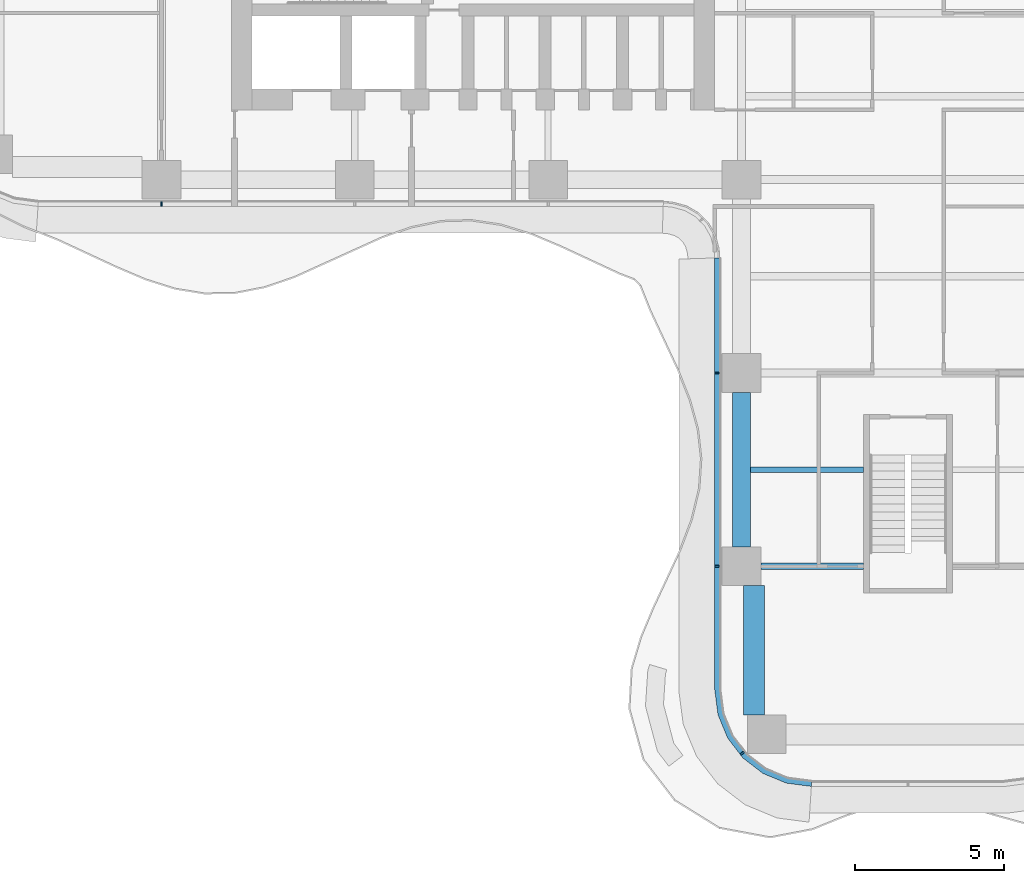
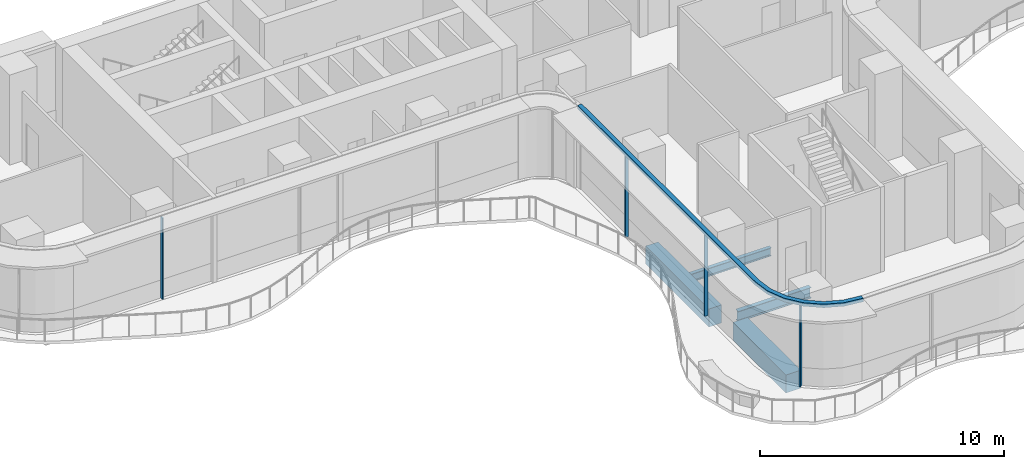
# One storey, part 2 of 21: 5 members, 4 beams, 2 elements without a shape of their own.
"""IFC4 building model written with IfcOpenShell, lengths in metres."""

from ifc_helpers import new_model, si_unit, direction, frame, origin, origin_2d, place, context, subcontext, project, spatial, polyline, rectangle, i_section, outline, extrude, source, transform, mapped, material, layer, layer_set, material_profile, profile_set, type_object, element, aggregate, save


model = new_model("IFC4")

# Units and contexts
model_context = context("Model", 3, precision=1e-05, world=origin(), true_north=direction((0.0, 1.0)))
body_context = subcontext(model_context, "Body", "Model", "MODEL_VIEW")
ifc_project = project(units=[si_unit("LENGTHUNIT", "METRE"), si_unit("AREAUNIT", "SQUARE_METRE"), si_unit("VOLUMEUNIT", "CUBIC_METRE"), si_unit("PLANEANGLEUNIT", "RADIAN"), si_unit("MASSUNIT", "GRAM", prefix="KILO")], contexts=[model_context])

# Site, building, storey
site_placement = place(None, origin())
site = spatial("IfcSite", under=ifc_project, at=site_placement, CompositionType="ELEMENT")
building_placement = place(site_placement, origin())
building = spatial("IfcBuilding", under=site, at=building_placement, Name="Trellis Farm Tower", CompositionType="ELEMENT")
storey_placement = place(building_placement, frame((0.0, 0.0, 138.0)))
storey = spatial("IfcBuildingStorey", under=building, at=storey_placement, Name="L29", CompositionType="ELEMENT", Elevation=138.0)

# Beams
ifc_material_1 = material(Name="Steel S355", Category="steel")
ifc_material_profile_1 = material_profile(ifc_material_1, i_section(OverallWidth=0.177978515625, OverallDepth=0.406494140625, WebThickness=0.0078125, FlangeThickness=0.0126953125, FilletRadius=0.01025390625, at=origin_2d()), Name="UB 406x178x60")
ifc_profile_set_1 = profile_set([ifc_material_profile_1], Name="Steel S355")
beam_type_1 = type_object("IfcBeamType", Name="UB 406x178x60 joist", PredefinedType="JOIST", material=ifc_profile_set_1)
shared_shape_1 = source(origin(), body_context, "Body", "SweptSolid", [
    extrude(i_section(OverallWidth=0.177978515625, OverallDepth=0.406494140625, WebThickness=0.0078125, FlangeThickness=0.0126953125, FilletRadius=0.01025390625, at=origin_2d()), origin(), (0.0, 0.0, 1.0), 3.800048828125),
])
beam_1_placement = place(storey_placement, frame((-5.300048828125, -15.35009765625, -0.453125), z_axis=(1.0, 0.0, 0.0), x_axis=(0.0, 1.0, 0.0)))
element("IfcBeam", 1, at=beam_1_placement, inside=storey, type_object=beam_type_1, Name="Floor beam", PredefinedType="JOIST", context=body_context, shape_type="MappedRepresentation", body=[
    mapped(shared_shape_1, transform((0.0, 0.0, 0.0))),
])
ifc_material_profile_2 = material_profile(ifc_material_1, i_section(OverallWidth=0.209228515625, OverallDepth=0.533203125, WebThickness=0.010009765625, FlangeThickness=0.015625, FilletRadius=0.0126953125, at=origin_2d()), Name="UB 533x210x92")
ifc_profile_set_2 = profile_set([ifc_material_profile_2], Name="Steel S355")
beam_type_2 = type_object("IfcBeamType", Name="UB 533x210x92", PredefinedType="BEAM", material=ifc_profile_set_2)
shared_shape_2 = source(origin(), body_context, "Body", "SweptSolid", [
    extrude(i_section(OverallWidth=0.209228515625, OverallDepth=0.533203125, WebThickness=0.010009765625, FlangeThickness=0.015625, FilletRadius=0.0126953125, at=origin_2d()), origin(), (0.0, 0.0, 1.0), 3.449951171875),
])
beam_2_placement = place(storey_placement, frame((-4.949951171875, -18.60009765625, -0.5166015625), z_axis=(1.0, 0.0, 0.0), x_axis=(0.0, 1.0, 0.0)))
element("IfcBeam", 2, at=beam_2_placement, inside=storey, type_object=beam_type_2, Name="Girder", PredefinedType="BEAM", context=body_context, shape_type="MappedRepresentation", body=[
    mapped(shared_shape_2, transform((0.0, 0.0, 0.0))),
])
ifc_material_2 = material(Name="Concrete C60/75", Category="concrete")
ifc_material_profile_3 = material_profile(ifc_material_2, rectangle(XDim=0.60009765625, YDim=0.89990234375, at=origin_2d()), Name="RC spandrel beam 600x900 C60/75")
ifc_profile_set_3 = profile_set([ifc_material_profile_3], Name="Concrete C60/75")
beam_type_3 = type_object("IfcBeamType", Name="RC spandrel beam 600x900 C60/75", PredefinedType="SPANDREL", material=ifc_profile_set_3)
shared_shape_3 = source(origin(), body_context, "Body", "SweptSolid", [
    extrude(rectangle(XDim=0.60009765625, YDim=0.89990234375, at=origin_2d()), origin(), (0.0, 0.0, 1.0), 5.199951171875),
])
beam_3_placement = place(storey_placement, frame((-5.60009765625, -17.949951171875, -0.699951171875), z_axis=(0.0, 1.0, 0.0), x_axis=(-1.0, 0.0, 0.0)))
element("IfcBeam", 3, at=beam_3_placement, inside=storey, type_object=beam_type_3, Name="Girder", PredefinedType="SPANDREL", context=body_context, shape_type="MappedRepresentation", body=[
    mapped(shared_shape_3, transform((0.0, 0.0, 0.0))),
])
ifc_material_profile_4 = material_profile(ifc_material_2, rectangle(XDim=0.699951171875, YDim=0.89990234375, at=origin_2d()), Name="RC spandrel beam 700x900 C60/75")
ifc_profile_set_4 = profile_set([ifc_material_profile_4], Name="Concrete C60/75")
beam_type_4 = type_object("IfcBeamType", Name="RC spandrel beam 700x900 C60/75", PredefinedType="SPANDREL", material=ifc_profile_set_4)
shared_shape_4 = source(origin(), body_context, "Body", "SweptSolid", [
    extrude(rectangle(XDim=0.699951171875, YDim=0.89990234375, at=origin_2d()), origin(), (0.0, 0.0, 1.0), 4.35009765625),
])
beam_4_placement = place(storey_placement, frame((-5.175048828125, -23.60009765625, -0.699951171875), z_axis=(0.0, 1.0, 0.0), x_axis=(-1.0, 0.0, 0.0)))
element("IfcBeam", 4, at=beam_4_placement, inside=storey, type_object=beam_type_4, Name="Girder", PredefinedType="SPANDREL", context=body_context, shape_type="MappedRepresentation", body=[
    mapped(shared_shape_4, transform((0.0, 0.0, 0.0))),
])

# Curtain wall, member
ifc_material_3 = material(Name="Aluminium and glass curtain wall", Category="aluminium")
ifc_layer_1 = layer(ifc_material_3, 0.18994140625)
ifc_layer_set_1 = layer_set([ifc_layer_1], Name="RIBBON CURTAIN WALL CW1")
curtain_wall_type = type_object("IfcCurtainWallType", Name="RIBBON CURTAIN WALL CW1", PredefinedType="NOTDEFINED", material=ifc_layer_set_1)
placement = place(storey_placement, origin())
curtain_wall_1 = element("IfcCurtainWall", 5, at=placement, inside=storey, type_object=curtain_wall_type, Name="CW1 001", PredefinedType="NOTDEFINED")
ifc_material_4 = material(Name="Aluminium extrusion 6063-T6", Category="aluminium")
ifc_material_profile_5 = material_profile(ifc_material_4, rectangle(XDim=0.06005859375, YDim=0.14990234375, at=origin_2d()), Name="MULLION 60x150")
ifc_profile_set_5 = profile_set([ifc_material_profile_5], Name="Aluminium extrusion 6063-T6")
member_type_1 = type_object("IfcMemberType", Name="CW1 MULLION 60x150", PredefinedType="MULLION", material=ifc_profile_set_5)
shared_shape_5 = source(origin(), body_context, "Body", "SweptSolid", [
    extrude(rectangle(XDim=0.06005859375, YDim=0.14990234375, at=origin_2d()), origin(), (0.0, 0.0, 1.0), 4.070068359375),
])
member_1_placement = place(storey_placement, frame((-25.10009765625, -6.425048828125, 0.0), z_axis=(0.0, 0.0, 1.0), x_axis=(1.0, 0.0, 0.0)))
member_1 = element("IfcMember", 6, at=member_1_placement, type_object=member_type_1, Name="MU1 001-01", PredefinedType="MULLION", context=body_context, shape_type="MappedRepresentation", body=[
    mapped(shared_shape_5, transform((0.0, 0.0, 0.0))),
])
aggregate(curtain_wall_1, [member_1])

# Curtain wall, members
curtain_wall_2 = element("IfcCurtainWall", 7, at=placement, inside=storey, type_object=curtain_wall_type, Name="CW1 002", PredefinedType="NOTDEFINED")
member_2_placement = place(storey_placement, frame((-6.425048828125, -12.10009765625, 0.0), z_axis=(0.0, 0.0, 1.0), x_axis=(0.0, -1.0, 0.0)))
member_2 = element("IfcMember", 8, at=member_2_placement, type_object=member_type_1, Name="MU1 002-01", PredefinedType="MULLION", context=body_context, shape_type="MappedRepresentation", body=[
    mapped(shared_shape_5, transform((0.0, 0.0, 0.0))),
])
member_3_placement = place(storey_placement, frame((-6.425048828125, -18.60009765625, 0.0), z_axis=(0.0, 0.0, 1.0), x_axis=(0.0, -1.0, 0.0)))
member_3 = element("IfcMember", 9, at=member_3_placement, type_object=member_type_1, Name="MU1 002-02", PredefinedType="MULLION", context=body_context, shape_type="MappedRepresentation", body=[
    mapped(shared_shape_5, transform((0.0, 0.0, 0.0))),
])
member_4_placement = place(storey_placement, frame((-5.578369140625, -24.885498046875, 0.0), z_axis=(0.0, 0.0, 1.0), x_axis=(0.608761429009, -0.793353340291, 0.0)))
member_4 = element("IfcMember", 10, at=member_4_placement, type_object=member_type_1, Name="MU1 002-03", PredefinedType="MULLION", context=body_context, shape_type="MappedRepresentation", body=[
    mapped(shared_shape_5, transform((0.0, 0.0, 0.0))),
])
ifc_layer_2 = layer(ifc_material_4, 0.199951171875)
ifc_layer_set_2 = layer_set([ifc_layer_2], Name="Aluminium extrusion 6063-T6")
member_type_2 = type_object("IfcMemberType", Name="CW1 TRANSOM 200x180", PredefinedType="USERDEFINED", material=ifc_layer_set_2)
shared_shape_6 = source(origin(), body_context, "Body", "SweptSolid", [
    extrude(outline(polyline([(-6.5, -8.2314453125), (-6.5, -22.75), (-6.38916015625, -23.591064453125), (-6.064697265625, -24.375), (-5.548095703125, -25.048095703125), (-4.875, -25.564697265625), (-4.091064453125, -25.88916015625), (-3.25, -26.0), (-3.23681640625, -25.800048828125), (-4.0390625, -25.6943359375), (-4.774169921875, -25.389892578125), (-5.405517578125, -24.905517578125), (-5.889892578125, -24.274169921875), (-6.1943359375, -23.5390625), (-6.300048828125, -22.73681640625), (-6.300048828125, -8.224853515625), (-6.5, -8.2314453125)])), origin(), (0.0, 0.0, 1.0), 0.179931640625),
])
member_5_placement = place(storey_placement, frame((0.0, 0.0, 4.070068359375)))
member_5 = element("IfcMember", 11, at=member_5_placement, type_object=member_type_2, Name="TR1 002", ObjectType="TRANSOM", PredefinedType="USERDEFINED", context=body_context, shape_type="MappedRepresentation", body=[
    mapped(shared_shape_6, transform((0.0, 0.0, 0.0))),
])
aggregate(curtain_wall_2, [member_2, member_3, member_4, member_5])

save(model, "model.ifc")
